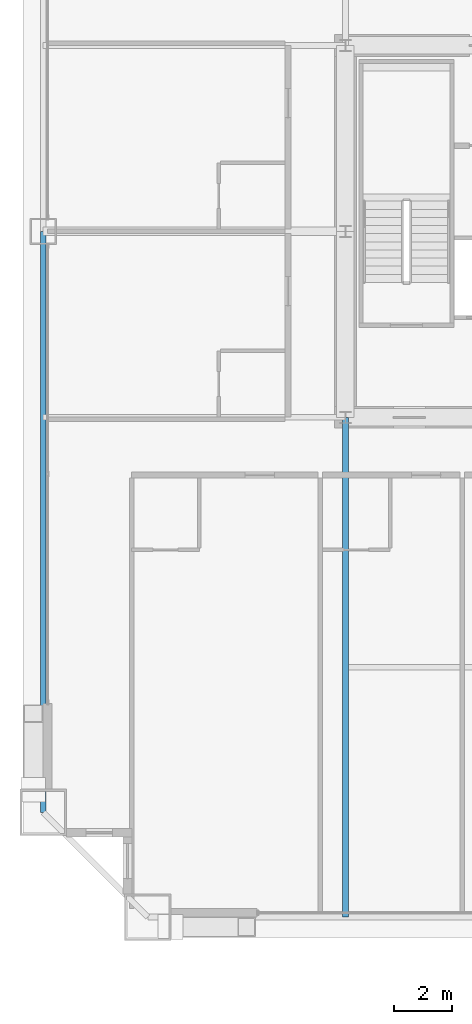
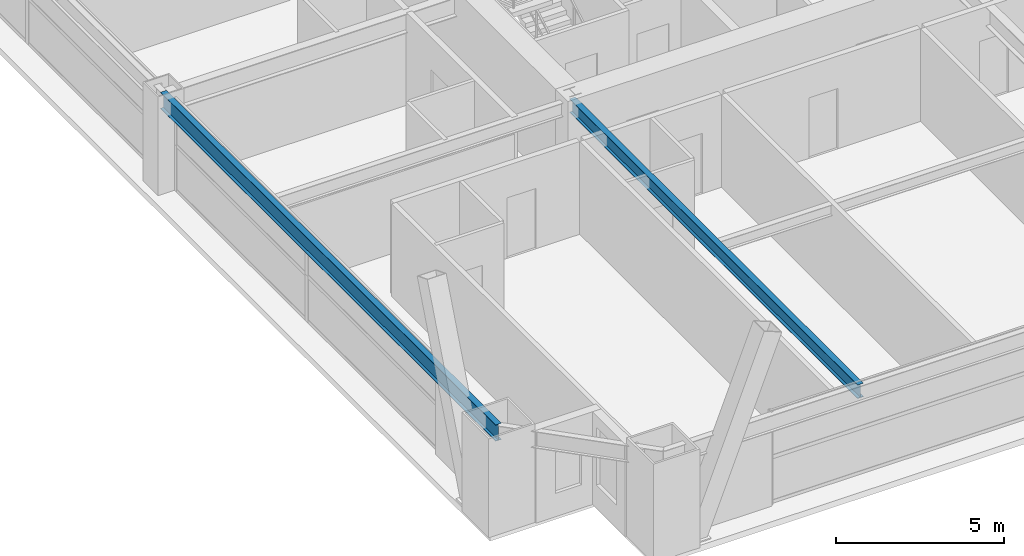
# One storey, part 7 of 43: 2 beams.
"""IFC4 building model written with IfcOpenShell, lengths in metres."""

from ifc_helpers import new_model, si_unit, direction, frame, origin, origin_2d, place, context, subcontext, project, spatial, i_section, extrude, source, transform, mapped, material, material_profile, profile_set, type_object, element, save


model = new_model("IFC4")

# Units and contexts
model_context = context("Model", 3, precision=1e-05, world=origin(), true_north=direction((0.0, 1.0)))
body_context = subcontext(model_context, "Body", "Model", "MODEL_VIEW")
ifc_project = project(units=[si_unit("LENGTHUNIT", "METRE"), si_unit("AREAUNIT", "SQUARE_METRE"), si_unit("VOLUMEUNIT", "CUBIC_METRE"), si_unit("PLANEANGLEUNIT", "RADIAN"), si_unit("MASSUNIT", "GRAM", prefix="KILO"), si_unit("THERMODYNAMICTEMPERATUREUNIT", "KELVIN"), si_unit("POWERUNIT", "WATT")], contexts=[model_context])

# Site, building, storey
site_placement = place(None, origin())
site = spatial("IfcSite", under=ifc_project, at=site_placement, CompositionType="ELEMENT")
building_placement = place(site_placement, origin())
building = spatial("IfcBuilding", under=site, at=building_placement, Name="Yuzanri Waterfront Tower", CompositionType="ELEMENT")
storey_placement = place(building_placement, frame((0.0, 0.0, 159.60009765625)))
storey = spatial("IfcBuildingStorey", under=building, at=storey_placement, Name="L42", CompositionType="ELEMENT", Elevation=159.60009765625)

# Beams
ifc_material_1 = material(Name="Steel Q355B", Category="steel")
ifc_material_profile_1 = material_profile(ifc_material_1, i_section(OverallWidth=0.199951171875, OverallDepth=0.60009765625, WebThickness=0.010986328125, FlangeThickness=0.01708984375, at=origin_2d()), Name="HN 600x200x11x17")
ifc_profile_set_1 = profile_set([ifc_material_profile_1], Name="Steel Q355B")
beam_type_1 = type_object("IfcBeamType", Name="Perimeter Spandrel Q355B HN 600x200", PredefinedType="SPANDREL", material=ifc_profile_set_1)
shared_shape_1 = source(origin(), body_context, "Body", "SweptSolid", [
    extrude(i_section(OverallWidth=0.199951171875, OverallDepth=0.60009765625, WebThickness=0.010986328125, FlangeThickness=0.01708984375, at=origin_2d()), origin(), (0.0, 0.0, 1.0), 20.0),
])
beam_1_placement = place(storey_placement, frame((13.39990234375, 25.800048828125, 3.079833984375), z_axis=(0.0, -1.0, 0.0), x_axis=(1.0, 0.0, 0.0)))
element("IfcBeam", 1, at=beam_1_placement, inside=storey, type_object=beam_type_1, Name="L42 Perimeter Spandrel W2-W1", PredefinedType="SPANDREL", context=body_context, shape_type="MappedRepresentation", body=[
    mapped(shared_shape_1, transform((0.0, 0.0, 0.0), scale=1.0)),
])
ifc_material_2 = material(Name="Steel Q355B", Category="steel")
ifc_material_profile_2 = material_profile(ifc_material_2, i_section(OverallWidth=0.199951171875, OverallDepth=0.5, WebThickness=0.010009765625, FlangeThickness=0.01611328125, at=origin_2d()), Name="HN 500x200x10x16")
ifc_profile_set_2 = profile_set([ifc_material_profile_2], Name="Steel Q355B")
beam_type_2 = type_object("IfcBeamType", Name="Secondary Floor Beam Q355B HN 500x200", PredefinedType="BEAM", material=ifc_profile_set_2)
shared_shape_2 = source(origin(), body_context, "Body", "SweptSolid", [
    extrude(i_section(OverallWidth=0.199951171875, OverallDepth=0.5, WebThickness=0.010009765625, FlangeThickness=0.01611328125, at=origin_2d()), origin(), (0.0, 0.0, 1.0), 17.199951171875),
])
beam_2_placement = place(storey_placement, frame((23.800048828125, 19.39990234375, 3.1298828125), z_axis=(0.0, -1.0, 0.0), x_axis=(1.0, 0.0, 0.0)))
element("IfcBeam", 2, at=beam_2_placement, inside=storey, type_object=beam_type_2, Name="L42 South-West Core Line Beam", PredefinedType="BEAM", context=body_context, shape_type="MappedRepresentation", body=[
    mapped(shared_shape_2, transform((0.0, 0.0, 0.0), scale=1.0)),
])

save(model, "model.ifc")
